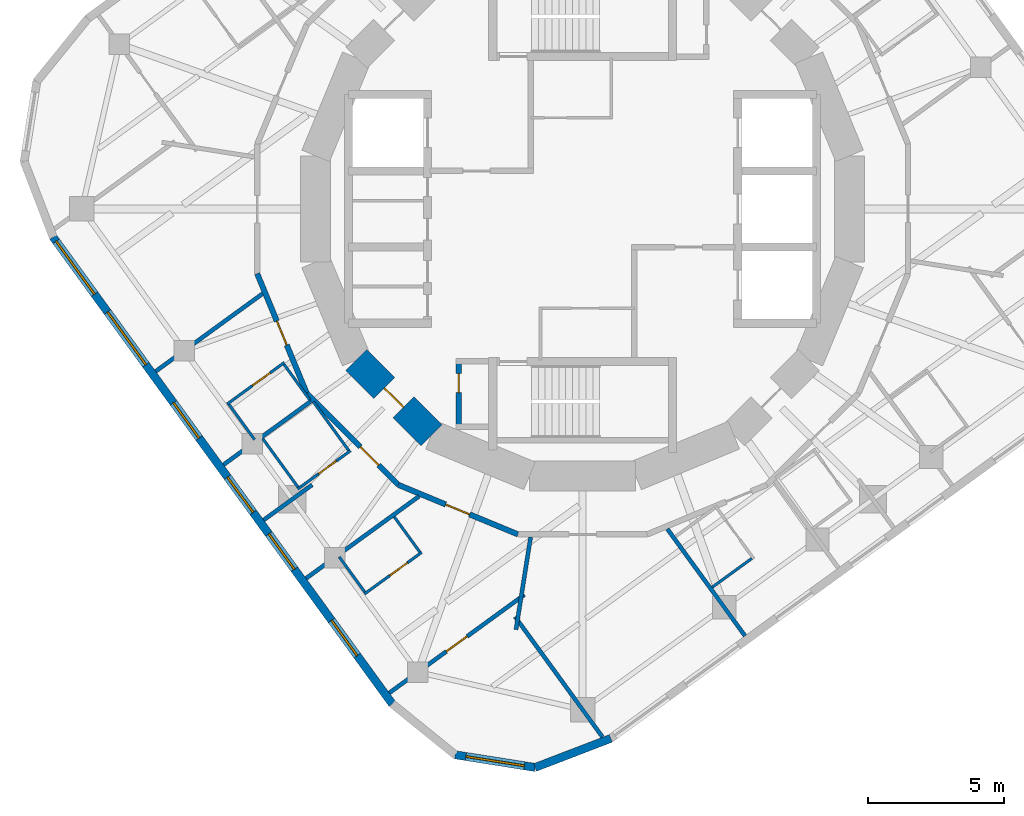
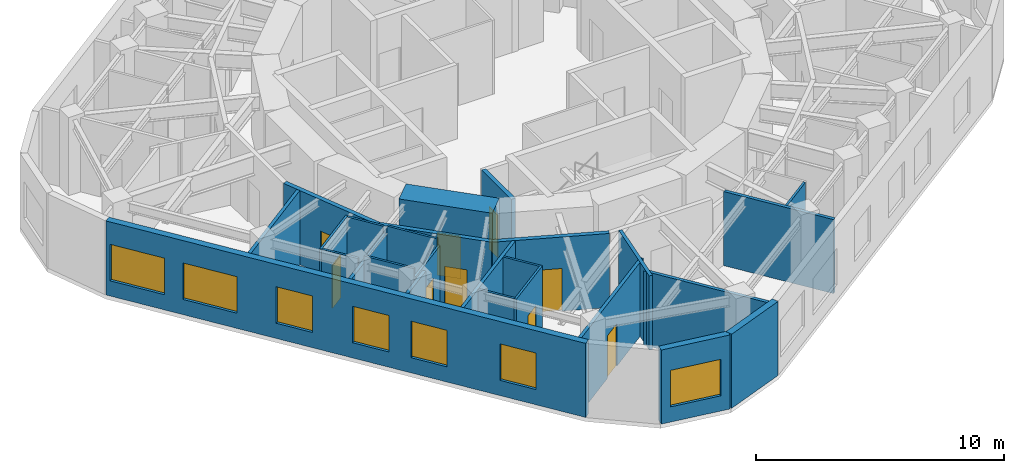
# One storey, part 3 of 9: 26 walls, 9 doors, 7 windows, 16 openings.
"""IFC4 building model written with IfcOpenShell, lengths in metres."""

from ifc_helpers import new_model, si_unit, direction, frame, frame_2d, origin, place, context, subcontext, project, spatial, rectangle, extrude, material, layer, layer_set, type_object, element, fill, save


model = new_model("IFC4")

# Units and contexts
model_context = context("Model", 3, precision=1e-05, world=origin(), true_north=direction((0.0, 1.0)))
body_context = subcontext(model_context, "Body", "Model", "MODEL_VIEW")
ifc_project = project(units=[si_unit("LENGTHUNIT", "METRE"), si_unit("AREAUNIT", "SQUARE_METRE"), si_unit("VOLUMEUNIT", "CUBIC_METRE"), si_unit("PLANEANGLEUNIT", "RADIAN"), si_unit("MASSUNIT", "GRAM", prefix="KILO")], contexts=[model_context])

# Site, building, storey
site_placement = place(None, origin())
site = spatial("IfcSite", under=ifc_project, at=site_placement, CompositionType="ELEMENT")
building_placement = place(site_placement, origin())
building = spatial("IfcBuilding", under=site, at=building_placement, Name="Nakasero Lantern House", CompositionType="ELEMENT")
storey_placement = place(building_placement, frame((0.0, 0.0, 267.60009765625)))
storey = spatial("IfcBuildingStorey", under=building, at=storey_placement, Name="L65", CompositionType="ELEMENT", Elevation=267.60009765625)

# Wall, opening, door
ifc_material_1 = material(Name="Concrete C50/60", Category="concrete")
ifc_layer_1 = layer(ifc_material_1, 1.10009765625)
ifc_layer_set_1 = layer_set([ifc_layer_1], Name="Core wall 1100")
wall_type_1 = type_object("IfcWallType", Name="Core wall 1100", PredefinedType="SHEAR", material=ifc_layer_set_1)
wall_1_placement = place(storey_placement, frame((-8.314697265625, -5.5556640625, 0.0), z_axis=(0.0, 0.0, 1.0), x_axis=(0.707106781187, -0.707106781187, 0.0)))
wall_1 = element("IfcWall", 1, at=wall_1_placement, inside=storey, type_object=wall_type_1, Name="Core wall L65 facet 10", PredefinedType="SHEAR", context=body_context, shape_type="SweptSolid", body=[
    extrude(rectangle(XDim=3.90185546875, YDim=1.10009765625, at=frame_2d((1.950927734375, 0.0))), origin(), (0.0, 0.0, 1.0), 3.849853515625),
])
opening_1_placement = place(wall_1_placement, frame((1.450927734375, 0.0, 0.0)))
opening_1 = element("IfcOpeningElement", 2, at=opening_1_placement, cuts=wall_1, Name="Opening D05", PredefinedType="OPENING", context=body_context, shape_type="SweptSolid", body=[
    extrude(rectangle(XDim=1.0, YDim=2.10009765625, at=frame_2d((0.5, 1.050048828125))), frame((0.0, 0.570068359375, 0.0), z_axis=(0.0, -1.0, 0.0), x_axis=(1.0, 0.0, 0.0)), (0.0, 0.0, 1.0), 1.14013671875),
])
ifc_material_2 = material(Name="Timber C24", Category="wood")
door_type_1 = type_object("IfcDoorType", Name="Core door FD60S 1000", OperationType="SINGLE_SWING_LEFT", PredefinedType="DOOR", material=ifc_material_2)
door_1_placement = place(opening_1_placement, origin())
door_1 = element("IfcDoor", 3, at=door_1_placement, inside=storey, type_object=door_type_1, Name="Door L65 D-CORE10", OperationType="SINGLE_SWING_LEFT", OverallHeight=2.10009765625, OverallWidth=1.0, PredefinedType="DOOR", context=body_context, shape_type="SweptSolid", body=[
    extrude(rectangle(XDim=1.0, YDim=2.10009765625, at=frame_2d((0.5, 1.050048828125))), frame((0.0, 0.02490234375, 0.0), z_axis=(0.0, -1.0, 0.0), x_axis=(1.0, 0.0, 0.0)), (0.0, 0.0, 1.0), 0.050048828125),
])
fill(opening_1, door_1)

ifc_material_3 = material(Name="Blockwork", Category="masonry")
ifc_layer_2 = layer(ifc_material_3, 0.199951171875)
ifc_layer_set_2 = layer_set([ifc_layer_2], Name="Corridor wall 200")
wall_type_2 = type_object("IfcWallType", Name="Corridor wall 200", PredefinedType="PARTITIONING", material=ifc_layer_set_2)
wall_2_placement = place(storey_placement, frame((-2.378662109375, -11.957763671875, 0.0), z_axis=(0.0, 0.0, 1.0), x_axis=(-0.923891735412, 0.382653970627, 0.0)))
wall_2 = element("IfcWall", 4, at=wall_2_placement, inside=storey, type_object=wall_type_2, Name="Corridor wall L65 RC05a", PredefinedType="PARTITIONING", context=body_context, shape_type="SweptSolid", body=[
    extrude(rectangle(XDim=4.757080078125, YDim=0.199951171875, at=frame_2d((2.37841796875, 0.0))), origin(), (0.0, 0.0, 1.0), 3.64990234375),
])
opening_2_placement = place(wall_2_placement, frame((1.919921875, 0.0, 0.0)))
opening_2 = element("IfcOpeningElement", 5, at=opening_2_placement, cuts=wall_2, Name="Opening D01", PredefinedType="OPENING", context=body_context, shape_type="SweptSolid", body=[
    extrude(rectangle(XDim=0.949951171875, YDim=2.10009765625, at=frame_2d((0.47509765625, 1.050048828125))), frame((0.0, 0.119873046875, 0.0), z_axis=(0.0, -1.0, 0.0), x_axis=(1.0, 0.0, 0.0)), (0.0, 0.0, 1.0), 0.239990234375),
])
ifc_material_4 = material(Name="Timber C24", Category="wood")
door_type_2 = type_object("IfcDoorType", Name="Bedroom door FD30S 950", OperationType="SINGLE_SWING_LEFT", PredefinedType="DOOR", material=ifc_material_4)
door_2_placement = place(opening_2_placement, origin())
door_2 = element("IfcDoor", 6, at=door_2_placement, inside=storey, type_object=door_type_2, Name="Door L65 D2-06", OperationType="SINGLE_SWING_RIGHT", OverallHeight=2.10009765625, OverallWidth=0.949951171875, PredefinedType="DOOR", context=body_context, shape_type="SweptSolid", body=[
    extrude(rectangle(XDim=0.949951171875, YDim=2.10009765625, at=frame_2d((0.47509765625, 1.050048828125))), frame((0.0, 0.02490234375, 0.0), z_axis=(0.0, -1.0, 0.0), x_axis=(1.0, 0.0, 0.0)), (0.0, 0.0, 1.0), 0.050048828125),
])
fill(opening_2, door_2)

wall_3_placement = place(storey_placement, frame((-6.773681640625, -10.137451171875, 0.0), z_axis=(0.0, 0.0, 1.0), x_axis=(-0.707106781187, 0.707106781187, 0.0)))
wall_3 = element("IfcWall", 7, at=wall_3_placement, inside=storey, type_object=wall_type_2, Name="Corridor wall L65 RC06a", PredefinedType="PARTITIONING", context=body_context, shape_type="SweptSolid", body=[
    extrude(rectangle(XDim=4.757080078125, YDim=0.199951171875, at=frame_2d((2.37841796875, 0.0))), origin(), (0.0, 0.0, 1.0), 3.64990234375),
])
opening_3_placement = place(wall_3_placement, frame((1.02001953125, 0.0, 0.0)))
opening_3 = element("IfcOpeningElement", 8, at=opening_3_placement, cuts=wall_3, Name="Opening D01", PredefinedType="OPENING", context=body_context, shape_type="SweptSolid", body=[
    extrude(rectangle(XDim=0.949951171875, YDim=2.10009765625, at=frame_2d((0.47509765625, 1.050048828125))), frame((0.0, 0.119873046875, 0.0), z_axis=(0.0, -1.0, 0.0), x_axis=(1.0, 0.0, 0.0)), (0.0, 0.0, 1.0), 0.239990234375),
])
door_3_placement = place(opening_3_placement, origin())
door_3 = element("IfcDoor", 9, at=door_3_placement, inside=storey, type_object=door_type_2, Name="Door L65 D2-04", OperationType="SINGLE_SWING_LEFT", OverallHeight=2.10009765625, OverallWidth=0.949951171875, PredefinedType="DOOR", context=body_context, shape_type="SweptSolid", body=[
    extrude(rectangle(XDim=0.949951171875, YDim=2.10009765625, at=frame_2d((0.47509765625, 1.050048828125))), frame((0.0, 0.02490234375, 0.0), z_axis=(0.0, -1.0, 0.0), x_axis=(1.0, 0.0, 0.0)), (0.0, 0.0, 1.0), 0.050048828125),
])
fill(opening_3, door_3)

wall_4_placement = place(storey_placement, frame((-10.137451171875, -6.773681640625, 0.0), z_axis=(0.0, 0.0, 1.0), x_axis=(-0.382653970627, 0.923891735412, 0.0)))
wall_4 = element("IfcWall", 10, at=wall_4_placement, inside=storey, type_object=wall_type_2, Name="Corridor wall L65 RC07a", PredefinedType="PARTITIONING", context=body_context, shape_type="SweptSolid", body=[
    extrude(rectangle(XDim=4.757080078125, YDim=0.199951171875, at=frame_2d((2.37841796875, 0.0))), origin(), (0.0, 0.0, 1.0), 3.64990234375),
])
opening_4_placement = place(wall_4_placement, frame((1.919921875, 0.0, 0.0)))
opening_4 = element("IfcOpeningElement", 11, at=opening_4_placement, cuts=wall_4, Name="Opening D01", PredefinedType="OPENING", context=body_context, shape_type="SweptSolid", body=[
    extrude(rectangle(XDim=0.949951171875, YDim=2.10009765625, at=frame_2d((0.47509765625, 1.050048828125))), frame((0.0, 0.119873046875, 0.0), z_axis=(0.0, -1.0, 0.0), x_axis=(1.0, 0.0, 0.0)), (0.0, 0.0, 1.0), 0.239990234375),
])
door_4_placement = place(opening_4_placement, origin())
door_4 = element("IfcDoor", 12, at=door_4_placement, inside=storey, type_object=door_type_2, Name="Door L65 D2-03", OperationType="SINGLE_SWING_RIGHT", OverallHeight=2.10009765625, OverallWidth=0.949951171875, PredefinedType="DOOR", context=body_context, shape_type="SweptSolid", body=[
    extrude(rectangle(XDim=0.949951171875, YDim=2.10009765625, at=frame_2d((0.47509765625, 1.050048828125))), frame((0.0, 0.02490234375, 0.0), z_axis=(0.0, -1.0, 0.0), x_axis=(1.0, 0.0, 0.0)), (0.0, 0.0, 1.0), 0.050048828125),
])
fill(opening_4, door_4)

ifc_material_5 = material(Name="Blockwork", Category="masonry")
ifc_layer_3 = layer(ifc_material_5, 0.10009765625)
ifc_layer_set_3 = layer_set([ifc_layer_3], Name="En-suite wall 100")
wall_type_3 = type_object("IfcWallType", Name="En-suite wall 100", PredefinedType="PARTITIONING", material=ifc_layer_set_3)
wall_5_placement = place(storey_placement, frame((-10.960693359375, -5.643798828125, 0.0), z_axis=(0.0, 0.0, 1.0), x_axis=(-0.80902431253, -0.587775179585, 0.0)))
wall_5 = element("IfcWall", 13, at=wall_5_placement, inside=storey, type_object=wall_type_3, Name="En-suite wall L65 ES2-03", PredefinedType="PARTITIONING", context=body_context, shape_type="SweptSolid", body=[
    extrude(rectangle(XDim=2.599853515625, YDim=0.10009765625, at=frame_2d((1.2998046875, 0.0))), origin(), (0.0, 0.0, 1.0), 3.64990234375),
])
opening_5_placement = place(wall_5_placement, frame((0.64990234375, 0.0, 0.0)))
opening_5 = element("IfcOpeningElement", 14, at=opening_5_placement, cuts=wall_5, Name="Opening D02", PredefinedType="OPENING", context=body_context, shape_type="SweptSolid", body=[
    extrude(rectangle(XDim=0.800048828125, YDim=2.10009765625, at=frame_2d((0.39990234375, 1.050048828125))), frame((0.0, 0.070068359375, 0.0), z_axis=(0.0, -1.0, 0.0), x_axis=(1.0, 0.0, 0.0)), (0.0, 0.0, 1.0), 0.14013671875),
])
ifc_material_6 = material(Name="Timber C24", Category="wood")
door_type_3 = type_object("IfcDoorType", Name="En-suite door 800", OperationType="SINGLE_SWING_RIGHT", PredefinedType="DOOR", material=ifc_material_6)
door_5_placement = place(opening_5_placement, origin())
door_5 = element("IfcDoor", 15, at=door_5_placement, inside=storey, type_object=door_type_3, Name="Door L65 DE2-03", OperationType="SINGLE_SWING_LEFT", OverallHeight=2.10009765625, OverallWidth=0.800048828125, PredefinedType="DOOR", context=body_context, shape_type="SweptSolid", body=[
    extrude(rectangle(XDim=0.800048828125, YDim=2.10009765625, at=frame_2d((0.39990234375, 1.050048828125))), frame((0.0, 0.02490234375, 0.0), z_axis=(0.0, -1.0, 0.0), x_axis=(1.0, 0.0, 0.0)), (0.0, 0.0, 1.0), 0.050048828125),
])
fill(opening_5, door_5)

# Walls
for number, where, z_axis, x_axis, name in (
    (16, (-12.994140625, -7.18310546875, 0.0), (0.0, 0.0, 1.0), (0.587772420479, -0.809026317077, 0.0), "En-suite wall L65 EE2-03"),
    (17, (-10.9716796875, -5.713623046875, 0.0), (0.0, 0.0, 1.0), (0.587772420479, -0.809026317077, 0.0), "En-suite wall L65 EI2-03"),
):
    element("IfcWall", number, at=place(storey_placement, frame(where, z_axis=z_axis, x_axis=x_axis)), inside=storey, type_object=wall_type_3, Name=name, PredefinedType="PARTITIONING", context=body_context, shape_type="SweptSolid", body=[
        extrude(rectangle(XDim=1.60009765625, YDim=0.10009765625, at=frame_2d((0.800048828125, 0.0))), origin(), (0.0, 0.0, 1.0), 3.64990234375),
    ])

# Wall, opening, door
wall_6_placement = place(storey_placement, frame((-8.528076171875, -8.88232421875, 0.0), z_axis=(0.0, 0.0, 1.0), x_axis=(-0.808977944175, -0.587838996528, 0.0)))
wall_6 = element("IfcWall", 18, at=wall_6_placement, inside=storey, type_object=wall_type_3, Name="En-suite wall L65 ES2-04", PredefinedType="PARTITIONING", context=body_context, shape_type="SweptSolid", body=[
    extrude(rectangle(XDim=2.400146484375, YDim=0.10009765625, at=frame_2d((1.2001953125, 0.0))), origin(), (0.0, 0.0, 1.0), 3.294921875),
])
opening_6_placement = place(wall_6_placement, frame((0.64990234375, 0.0, 0.0)))
opening_6 = element("IfcOpeningElement", 19, at=opening_6_placement, cuts=wall_6, Name="Opening D02", PredefinedType="OPENING", context=body_context, shape_type="SweptSolid", body=[
    extrude(rectangle(XDim=0.800048828125, YDim=2.10009765625, at=frame_2d((0.39990234375, 1.050048828125))), frame((0.0, 0.070068359375, 0.0), z_axis=(0.0, -1.0, 0.0), x_axis=(1.0, 0.0, 0.0)), (0.0, 0.0, 1.0), 0.14013671875),
])
door_6_placement = place(opening_6_placement, origin())
door_6 = element("IfcDoor", 20, at=door_6_placement, inside=storey, type_object=door_type_3, Name="Door L65 DE2-04", OperationType="SINGLE_SWING_LEFT", OverallHeight=2.10009765625, OverallWidth=0.800048828125, PredefinedType="DOOR", context=body_context, shape_type="SweptSolid", body=[
    extrude(rectangle(XDim=0.800048828125, YDim=2.10009765625, at=frame_2d((0.39990234375, 1.050048828125))), frame((0.0, 0.02490234375, 0.0), z_axis=(0.0, -1.0, 0.0), x_axis=(1.0, 0.0, 0.0)), (0.0, 0.0, 1.0), 0.050048828125),
])
fill(opening_6, door_6)

# Walls
wall_7_placement = place(storey_placement, frame((-11.751708984375, -8.443359375, 0.0), z_axis=(0.0, 0.0, 1.0), x_axis=(0.587769160311, -0.809028685639, 0.0)))
element("IfcWall", 21, at=wall_7_placement, inside=storey, type_object=wall_type_3, Name="En-suite wall L65 EE2-04", PredefinedType="PARTITIONING", context=body_context, shape_type="SweptSolid", body=[
    extrude(rectangle(XDim=2.2001953125, YDim=0.10009765625, at=frame_2d((1.10009765625, 0.0))), origin(), (0.0, 0.0, 1.0), 3.64990234375),
])
wall_8_placement = place(storey_placement, frame((-9.89111328125, -7.091552734375, 0.0), z_axis=(0.0, 0.0, 1.0), x_axis=(0.587821928992, -0.808990345923, 0.0)))
element("IfcWall", 22, at=wall_8_placement, inside=storey, type_object=wall_type_3, Name="En-suite wall L65 EI2-04", PredefinedType="PARTITIONING", context=body_context, shape_type="SweptSolid", body=[
    extrude(rectangle(XDim=2.199951171875, YDim=0.10009765625, at=frame_2d((1.10009765625, 0.0))), origin(), (0.0, 0.0, 1.0), 3.64990234375),
])

# Wall, opening, door
wall_9_placement = place(storey_placement, frame((-5.91162109375, -12.619384765625, 0.0), z_axis=(0.0, 0.0, 1.0), x_axis=(-0.809056752413, -0.587730526155, 0.0)))
wall_9 = element("IfcWall", 23, at=wall_9_placement, inside=storey, type_object=wall_type_3, Name="En-suite wall L65 ES2-06", PredefinedType="PARTITIONING", context=body_context, shape_type="SweptSolid", body=[
    extrude(rectangle(XDim=2.599853515625, YDim=0.10009765625, at=frame_2d((1.2998046875, 0.0))), origin(), (0.0, 0.0, 1.0), 3.64990234375),
])
opening_7_placement = place(wall_9_placement, frame((0.64990234375, 0.0, 0.0)))
opening_7 = element("IfcOpeningElement", 24, at=opening_7_placement, cuts=wall_9, Name="Opening D02", PredefinedType="OPENING", context=body_context, shape_type="SweptSolid", body=[
    extrude(rectangle(XDim=0.800048828125, YDim=2.10009765625, at=frame_2d((0.39990234375, 1.050048828125))), frame((0.0, 0.070068359375, 0.0), z_axis=(0.0, -1.0, 0.0), x_axis=(1.0, 0.0, 0.0)), (0.0, 0.0, 1.0), 0.14013671875),
])
door_7_placement = place(opening_7_placement, origin())
door_7 = element("IfcDoor", 25, at=door_7_placement, inside=storey, type_object=door_type_3, Name="Door L65 DE2-06", OperationType="SINGLE_SWING_LEFT", OverallHeight=2.10009765625, OverallWidth=0.800048828125, PredefinedType="DOOR", context=body_context, shape_type="SweptSolid", body=[
    extrude(rectangle(XDim=0.800048828125, YDim=2.10009765625, at=frame_2d((0.39990234375, 1.050048828125))), frame((0.0, 0.02490234375, 0.0), z_axis=(0.0, -1.0, 0.0), x_axis=(1.0, 0.0, 0.0)), (0.0, 0.0, 1.0), 0.050048828125),
])
fill(opening_7, door_7)

# Walls
for number, where, z_axis, x_axis, name in (
    (26, (-8.9443359375, -12.783203125, 0.0), (0.0, 0.0, 1.0), (0.587772420479, -0.809026317077, 0.0), "En-suite wall L65 EE2-06"),
    (27, (-6.921875, -11.313720703125, 0.0), (0.0, 0.0, 1.0), (0.587772420479, -0.809026317077, 0.0), "En-suite wall L65 EI2-06"),
):
    element("IfcWall", number, at=place(storey_placement, frame(where, z_axis=z_axis, x_axis=x_axis)), inside=storey, type_object=wall_type_3, Name=name, PredefinedType="PARTITIONING", context=body_context, shape_type="SweptSolid", body=[
        extrude(rectangle(XDim=1.60009765625, YDim=0.10009765625, at=frame_2d((0.800048828125, 0.0))), origin(), (0.0, 0.0, 1.0), 3.64990234375),
    ])
wall_10_placement = place(storey_placement, frame((4.7626953125, -13.9013671875, 0.0), z_axis=(0.0, 0.0, 1.0), x_axis=(0.809070278701, 0.587711905718, 0.0)))
element("IfcWall", 28, at=wall_10_placement, inside=storey, type_object=wall_type_3, Name="En-suite wall L65 EE3-03", PredefinedType="PARTITIONING", context=body_context, shape_type="SweptSolid", body=[
    extrude(rectangle(XDim=1.800048828125, YDim=0.10009765625, at=frame_2d((0.89990234375, 0.0))), origin(), (0.0, 0.0, 1.0), 3.64990234375),
])

# Wall, openings, windows
ifc_material_7 = material(Name="Aluminium rainscreen on blockwork", Category="masonry")
ifc_layer_4 = layer(ifc_material_7, 0.300048828125)
ifc_layer_set_4 = layer_set([ifc_layer_4], Name="Facade wall 300")
wall_type_4 = type_object("IfcWallType", Name="Facade wall 300", PredefinedType="SOLIDWALL", material=ifc_layer_set_4)
wall_11_placement = place(storey_placement, frame((-19.4580078125, -1.03466796875, 0.0), z_axis=(0.0, 0.0, 1.0), x_axis=(0.587790233451, -0.809013375328, 0.0)))
wall_11 = element("IfcWall", 29, at=wall_11_placement, inside=storey, type_object=wall_type_4, Name="Facade wall L65 FW2S", PredefinedType="SOLIDWALL", context=body_context, shape_type="SweptSolid", body=[
    extrude(rectangle(XDim=21.199951171875, YDim=0.300048828125, at=frame_2d((10.60009765625, 0.0))), origin(), (0.0, 0.0, 1.0), 3.64990234375),
])
opening_8_placement = place(wall_11_placement, frame((7.52783203125, 0.0, 0.75)))
opening_8 = element("IfcOpeningElement", 30, at=opening_8_placement, cuts=wall_11, Name="Opening W01", PredefinedType="OPENING", context=body_context, shape_type="SweptSolid", body=[
    extrude(rectangle(XDim=1.60009765625, YDim=1.800048828125, at=frame_2d((0.800048828125, 0.89990234375))), frame((0.0, 0.169921875, 0.0), z_axis=(0.0, -1.0, 0.0), x_axis=(1.0, 0.0, 0.0)), (0.0, 0.0, 1.0), 0.340087890625),
])
opening_9_placement = place(wall_11_placement, frame((10.904052734375, 0.0, 0.75)))
opening_9 = element("IfcOpeningElement", 31, at=opening_9_placement, cuts=wall_11, Name="Opening W01", PredefinedType="OPENING", context=body_context, shape_type="SweptSolid", body=[
    extrude(rectangle(XDim=1.60009765625, YDim=1.800048828125, at=frame_2d((0.800048828125, 0.89990234375))), frame((0.0, 0.169921875, 0.0), z_axis=(0.0, -1.0, 0.0), x_axis=(1.0, 0.0, 0.0)), (0.0, 0.0, 1.0), 0.340087890625),
])
opening_10_placement = place(wall_11_placement, frame((13.484619140625, 0.0, 0.75)))
opening_10 = element("IfcOpeningElement", 32, at=opening_10_placement, cuts=wall_11, Name="Opening W01", PredefinedType="OPENING", context=body_context, shape_type="SweptSolid", body=[
    extrude(rectangle(XDim=1.60009765625, YDim=1.800048828125, at=frame_2d((0.800048828125, 0.89990234375))), frame((0.0, 0.169921875, 0.0), z_axis=(0.0, -1.0, 0.0), x_axis=(1.0, 0.0, 0.0)), (0.0, 0.0, 1.0), 0.340087890625),
])
opening_11_placement = place(wall_11_placement, frame((17.410888671875, 0.0, 0.75)))
opening_11 = element("IfcOpeningElement", 33, at=opening_11_placement, cuts=wall_11, Name="Opening W01", PredefinedType="OPENING", context=body_context, shape_type="SweptSolid", body=[
    extrude(rectangle(XDim=1.60009765625, YDim=1.800048828125, at=frame_2d((0.800048828125, 0.89990234375))), frame((0.0, 0.169921875, 0.0), z_axis=(0.0, -1.0, 0.0), x_axis=(1.0, 0.0, 0.0)), (0.0, 0.0, 1.0), 0.340087890625),
])
opening_12_placement = place(wall_11_placement, frame((0.1904296875, 0.0, 0.75)))
opening_12 = element("IfcOpeningElement", 34, at=opening_12_placement, cuts=wall_11, Name="Opening W03", PredefinedType="OPENING", context=body_context, shape_type="SweptSolid", body=[
    extrude(rectangle(XDim=2.39990234375, YDim=1.800048828125, at=frame_2d((1.199951171875, 0.89990234375))), frame((0.0, 0.169921875, 0.0), z_axis=(0.0, -1.0, 0.0), x_axis=(1.0, 0.0, 0.0)), (0.0, 0.0, 1.0), 0.340087890625),
])
opening_13_placement = place(wall_11_placement, frame((3.401611328125, 0.0, 0.75)))
opening_13 = element("IfcOpeningElement", 35, at=opening_13_placement, cuts=wall_11, Name="Opening W03", PredefinedType="OPENING", context=body_context, shape_type="SweptSolid", body=[
    extrude(rectangle(XDim=2.39990234375, YDim=1.800048828125, at=frame_2d((1.199951171875, 0.89990234375))), frame((0.0, 0.169921875, 0.0), z_axis=(0.0, -1.0, 0.0), x_axis=(1.0, 0.0, 0.0)), (0.0, 0.0, 1.0), 0.340087890625),
])
ifc_material_8 = material(Name="Aluminium 6063-T6 and glass", Category="aluminium")
window_type_1 = type_object("IfcWindowType", Name="Bedroom window 1600x1800", PartitioningType="SINGLE_PANEL", PredefinedType="WINDOW", material=ifc_material_8)
window_1_placement = place(opening_8_placement, origin())
window_1 = element("IfcWindow", 36, at=window_1_placement, inside=storey, type_object=window_type_1, Name="Window L65 WN2-03", OverallHeight=1.800048828125, OverallWidth=1.60009765625, PartitioningType="SINGLE_PANEL", PredefinedType="WINDOW", context=body_context, shape_type="SweptSolid", body=[
    extrude(rectangle(XDim=1.60009765625, YDim=1.800048828125, at=frame_2d((0.800048828125, 0.89990234375))), frame((0.0, 0.030029296875, 0.0), z_axis=(0.0, -1.0, 0.0), x_axis=(1.0, 0.0, 0.0)), (0.0, 0.0, 1.0), 0.06005859375),
])
fill(opening_8, window_1)
window_2_placement = place(opening_9_placement, origin())
window_2 = element("IfcWindow", 37, at=window_2_placement, inside=storey, type_object=window_type_1, Name="Window L65 WN2-04", OverallHeight=1.800048828125, OverallWidth=1.60009765625, PartitioningType="SINGLE_PANEL", PredefinedType="WINDOW", context=body_context, shape_type="SweptSolid", body=[
    extrude(rectangle(XDim=1.60009765625, YDim=1.800048828125, at=frame_2d((0.800048828125, 0.89990234375))), frame((0.0, 0.030029296875, 0.0), z_axis=(0.0, -1.0, 0.0), x_axis=(1.0, 0.0, 0.0)), (0.0, 0.0, 1.0), 0.06005859375),
])
fill(opening_9, window_2)
window_3_placement = place(opening_10_placement, origin())
window_3 = element("IfcWindow", 38, at=window_3_placement, inside=storey, type_object=window_type_1, Name="Window L65 WN2-05", OverallHeight=1.800048828125, OverallWidth=1.60009765625, PartitioningType="SINGLE_PANEL", PredefinedType="WINDOW", context=body_context, shape_type="SweptSolid", body=[
    extrude(rectangle(XDim=1.60009765625, YDim=1.800048828125, at=frame_2d((0.800048828125, 0.89990234375))), frame((0.0, 0.030029296875, 0.0), z_axis=(0.0, -1.0, 0.0), x_axis=(1.0, 0.0, 0.0)), (0.0, 0.0, 1.0), 0.06005859375),
])
fill(opening_10, window_3)
window_4_placement = place(opening_11_placement, origin())
window_4 = element("IfcWindow", 39, at=window_4_placement, inside=storey, type_object=window_type_1, Name="Window L65 WN2-06", OverallHeight=1.800048828125, OverallWidth=1.60009765625, PartitioningType="SINGLE_PANEL", PredefinedType="WINDOW", context=body_context, shape_type="SweptSolid", body=[
    extrude(rectangle(XDim=1.60009765625, YDim=1.800048828125, at=frame_2d((0.800048828125, 0.89990234375))), frame((0.0, 0.030029296875, 0.0), z_axis=(0.0, -1.0, 0.0), x_axis=(1.0, 0.0, 0.0)), (0.0, 0.0, 1.0), 0.06005859375),
])
fill(opening_11, window_4)
ifc_material_9 = material(Name="Aluminium 6063-T6 and glass", Category="aluminium")
window_type_2 = type_object("IfcWindowType", Name="Lounge window 2400x1800", PartitioningType="SINGLE_PANEL", PredefinedType="WINDOW", material=ifc_material_9)
window_5_placement = place(opening_12_placement, origin())
window_5 = element("IfcWindow", 40, at=window_5_placement, inside=storey, type_object=window_type_2, Name="Window L65 WK2", OverallHeight=1.800048828125, OverallWidth=2.39990234375, PartitioningType="SINGLE_PANEL", PredefinedType="WINDOW", context=body_context, shape_type="SweptSolid", body=[
    extrude(rectangle(XDim=2.39990234375, YDim=1.800048828125, at=frame_2d((1.199951171875, 0.89990234375))), frame((0.0, 0.030029296875, 0.0), z_axis=(0.0, -1.0, 0.0), x_axis=(1.0, 0.0, 0.0)), (0.0, 0.0, 1.0), 0.06005859375),
])
fill(opening_12, window_5)
window_6_placement = place(opening_13_placement, origin())
window_6 = element("IfcWindow", 41, at=window_6_placement, inside=storey, type_object=window_type_2, Name="Window L65 WL2", OverallHeight=1.800048828125, OverallWidth=2.39990234375, PartitioningType="SINGLE_PANEL", PredefinedType="WINDOW", context=body_context, shape_type="SweptSolid", body=[
    extrude(rectangle(XDim=2.39990234375, YDim=1.800048828125, at=frame_2d((1.199951171875, 0.89990234375))), frame((0.0, 0.030029296875, 0.0), z_axis=(0.0, -1.0, 0.0), x_axis=(1.0, 0.0, 0.0)), (0.0, 0.0, 1.0), 0.06005859375),
])
fill(opening_13, window_6)

# Wall, opening, window
wall_12_placement = place(storey_placement, frame((-4.683837890625, -20.05908203125, 0.0), z_axis=(0.0, 0.0, 1.0), x_axis=(0.987691704133, -0.156413227021, 0.0)))
wall_12 = element("IfcWall", 42, at=wall_12_placement, inside=storey, type_object=wall_type_4, Name="Facade wall L65 FW2C2", PredefinedType="SOLIDWALL", context=body_context, shape_type="SweptSolid", body=[
    extrude(rectangle(XDim=2.9765625, YDim=0.300048828125, at=frame_2d((1.48828125, 0.0))), origin(), (0.0, 0.0, 1.0), 3.64990234375),
])
opening_14_placement = place(wall_12_placement, frame((0.39990234375, 0.0, 0.75)))
opening_14 = element("IfcOpeningElement", 43, at=opening_14_placement, cuts=wall_12, Name="Opening W221", PredefinedType="OPENING", context=body_context, shape_type="SweptSolid", body=[
    extrude(rectangle(XDim=2.176025390625, YDim=1.800048828125, at=frame_2d((1.087890625, 0.89990234375))), frame((0.0, 0.169921875, 0.0), z_axis=(0.0, -1.0, 0.0), x_axis=(1.0, 0.0, 0.0)), (0.0, 0.0, 1.0), 0.340087890625),
])
ifc_material_10 = material(Name="Aluminium 6063-T6 and glass", Category="aluminium")
window_type_3 = type_object("IfcWindowType", Name="Corner window 2176x1800", PartitioningType="SINGLE_PANEL", PredefinedType="WINDOW", material=ifc_material_10)
window_7_placement = place(opening_14_placement, origin())
window_7 = element("IfcWindow", 44, at=window_7_placement, inside=storey, type_object=window_type_3, Name="Window L65 WC2", OverallHeight=1.800048828125, OverallWidth=2.176025390625, PartitioningType="SINGLE_PANEL", PredefinedType="WINDOW", context=body_context, shape_type="SweptSolid", body=[
    extrude(rectangle(XDim=2.176025390625, YDim=1.800048828125, at=frame_2d((1.087890625, 0.89990234375))), frame((0.0, 0.030029296875, 0.0), z_axis=(0.0, -1.0, 0.0), x_axis=(1.0, 0.0, 0.0)), (0.0, 0.0, 1.0), 0.06005859375),
])
fill(opening_14, window_7)

# Wall
wall_13_placement = place(storey_placement, frame((-1.743896484375, -20.524658203125, 0.0), z_axis=(0.0, 0.0, 1.0), x_axis=(0.933573745966, 0.35838535244, 0.0)))
element("IfcWall", 45, at=wall_13_placement, inside=storey, type_object=wall_type_4, Name="Facade wall L65 FW2C3", PredefinedType="SOLIDWALL", context=body_context, shape_type="SweptSolid", body=[
    extrude(rectangle(XDim=2.976318359375, YDim=0.300048828125, at=frame_2d((1.48828125, 0.0))), origin(), (0.0, 0.0, 1.0), 3.64990234375),
])

# Wall, opening, door
ifc_material_11 = material(Name="Blockwork", Category="masonry")
ifc_layer_5 = layer(ifc_material_11, 0.199951171875)
ifc_layer_set_5 = layer_set([ifc_layer_5], Name="Fire lobby wall 200")
wall_type_5 = type_object("IfcWallType", Name="Fire lobby wall 200", PredefinedType="PARTITIONING", material=ifc_layer_set_5)
wall_14_placement = place(storey_placement, frame((-4.550048828125, -5.60009765625, 0.0), z_axis=(0.0, 0.0, 1.0), x_axis=(0.0, -1.0, 0.0)))
wall_14 = element("IfcWall", 46, at=wall_14_placement, inside=storey, type_object=wall_type_5, Name="Fire lobby wall L65 W-RS2W", PredefinedType="PARTITIONING", context=body_context, shape_type="SweptSolid", body=[
    extrude(rectangle(XDim=2.39990234375, YDim=0.199951171875, at=frame_2d((1.199951171875, 0.0))), origin(), (0.0, 0.0, 1.0), 3.64990234375),
])
opening_15_placement = place(wall_14_placement, frame((0.449951171875, 0.0, 0.0)))
opening_15 = element("IfcOpeningElement", 47, at=opening_15_placement, cuts=wall_14, Name="Opening D06", PredefinedType="OPENING", context=body_context, shape_type="SweptSolid", body=[
    extrude(rectangle(XDim=0.699951171875, YDim=2.10009765625, at=frame_2d((0.35009765625, 1.050048828125))), frame((0.0, 0.119873046875, 0.0), z_axis=(0.0, -1.0, 0.0), x_axis=(1.0, 0.0, 0.0)), (0.0, 0.0, 1.0), 0.239990234375),
])
ifc_material_12 = material(Name="Steel S355", Category="steel")
door_type_4 = type_object("IfcDoorType", Name="Riser door FD60 700", OperationType="SINGLE_SWING_LEFT", PredefinedType="DOOR", material=ifc_material_12)
door_8_placement = place(opening_15_placement, origin())
door_8 = element("IfcDoor", 48, at=door_8_placement, inside=storey, type_object=door_type_4, Name="Door L65 D-RS2", OperationType="SINGLE_SWING_LEFT", OverallHeight=2.10009765625, OverallWidth=0.699951171875, PredefinedType="DOOR", context=body_context, shape_type="SweptSolid", body=[
    extrude(rectangle(XDim=0.699951171875, YDim=2.10009765625, at=frame_2d((0.35009765625, 1.050048828125))), frame((0.0, 0.02490234375, 0.0), z_axis=(0.0, -1.0, 0.0), x_axis=(1.0, 0.0, 0.0)), (0.0, 0.0, 1.0), 0.050048828125),
])
fill(opening_15, door_8)

# Walls
ifc_material_13 = material(Name="Blockwork", Category="masonry")
ifc_layer_6 = layer(ifc_material_13, 0.14990234375)
ifc_layer_set_6 = layer_set([ifc_layer_6], Name="Party wall 150")
wall_type_6 = type_object("IfcWallType", Name="Party wall 150", PredefinedType="PARTITIONING", material=ifc_layer_set_6)
wall_15_placement = place(storey_placement, frame((-9.939208984375, -10.13818359375, 0.0), z_axis=(0.0, 0.0, 1.0), x_axis=(-0.808990345923, -0.587821928992, 0.0)))
element("IfcWall", 49, at=wall_15_placement, inside=storey, type_object=wall_type_6, Name="Party wall L65 PN2-05", PredefinedType="PARTITIONING", context=body_context, shape_type="SweptSolid", body=[
    extrude(rectangle(XDim=2.199951171875, YDim=0.14990234375, at=frame_2d((1.10009765625, 0.0))), origin(), (0.0, 0.0, 1.0), 3.294921875),
])
wall_16_placement = place(storey_placement, frame((-11.760986328125, -3.114990234375, 0.0), z_axis=(0.0, 0.0, 1.0), x_axis=(-0.809020895183, -0.587779883253, 0.0)))
element("IfcWall", 50, at=wall_16_placement, inside=storey, type_object=wall_type_6, Name="Party wall L65 PW2-03", PredefinedType="PARTITIONING", context=body_context, shape_type="SweptSolid", body=[
    extrude(rectangle(XDim=4.854248046875, YDim=0.14990234375, at=frame_2d((2.42724609375, 0.0))), origin(), (0.0, 0.0, 1.0), 3.64990234375),
])
wall_17_placement = place(storey_placement, frame((-9.985107421875, -7.067138671875, 0.0), z_axis=(0.0, 0.0, 1.0), x_axis=(-0.809004739075, -0.587802119896, 0.0)))
element("IfcWall", 51, at=wall_17_placement, inside=storey, type_object=wall_type_6, Name="Party wall L65 PW2-04", PredefinedType="PARTITIONING", context=body_context, shape_type="SweptSolid", body=[
    extrude(rectangle(XDim=3.9677734375, YDim=0.14990234375, at=frame_2d((1.98388671875, 0.0))), origin(), (0.0, 0.0, 1.0), 3.294921875),
])
wall_18_placement = place(storey_placement, frame((-6.012939453125, -10.560791015625, 0.0), z_axis=(0.0, 0.0, 1.0), x_axis=(-0.809020100005, -0.587780977736, 0.0)))
element("IfcWall", 52, at=wall_18_placement, inside=storey, type_object=wall_type_6, Name="Party wall L65 PW2-06", PredefinedType="PARTITIONING", context=body_context, shape_type="SweptSolid", body=[
    extrude(rectangle(XDim=5.1279296875, YDim=0.14990234375, at=frame_2d((2.56396484375, 0.0))), origin(), (0.0, 0.0, 1.0), 3.64990234375),
])

# Wall, opening, door
wall_19_placement = place(storey_placement, frame((-2.137939453125, -14.1767578125, 0.0), z_axis=(0.0, 0.0, 1.0), x_axis=(-0.809024975628, -0.587774266883, 0.0)))
wall_19 = element("IfcWall", 53, at=wall_19_placement, inside=storey, type_object=wall_type_6, Name="Party wall L65 PW2-07", PredefinedType="PARTITIONING", context=body_context, shape_type="SweptSolid", body=[
    extrude(rectangle(XDim=6.137451171875, YDim=0.14990234375, at=frame_2d((3.06884765625, 0.0))), origin(), (0.0, 0.0, 1.0), 3.64990234375),
])
opening_16_placement = place(wall_19_placement, frame((2.60009765625, 0.0, 0.0)))
opening_16 = element("IfcOpeningElement", 54, at=opening_16_placement, cuts=wall_19, Name="Opening D01", PredefinedType="OPENING", context=body_context, shape_type="SweptSolid", body=[
    extrude(rectangle(XDim=0.949951171875, YDim=2.10009765625, at=frame_2d((0.47509765625, 1.050048828125))), frame((0.0, 0.094970703125, 0.0), z_axis=(0.0, -1.0, 0.0), x_axis=(1.0, 0.0, 0.0)), (0.0, 0.0, 1.0), 0.18994140625),
])
door_9_placement = place(opening_16_placement, origin())
door_9 = element("IfcDoor", 55, at=door_9_placement, inside=storey, type_object=door_type_2, Name="Door L65 DC2", OperationType="SINGLE_SWING_RIGHT", OverallHeight=2.10009765625, OverallWidth=0.949951171875, PredefinedType="DOOR", context=body_context, shape_type="SweptSolid", body=[
    extrude(rectangle(XDim=0.949951171875, YDim=2.10009765625, at=frame_2d((0.47509765625, 1.050048828125))), frame((0.0, 0.02490234375, 0.0), z_axis=(0.0, -1.0, 0.0), x_axis=(1.0, 0.0, 0.0)), (0.0, 0.0, 1.0), 0.050048828125),
])
fill(opening_16, door_9)

# Walls
wall_20_placement = place(storey_placement, frame((-1.90966796875, -12.057861328125, 0.0), z_axis=(0.0, 0.0, 1.0), x_axis=(-0.156465405864, -0.987683439553, 0.0)))
element("IfcWall", 56, at=wall_20_placement, inside=storey, type_object=wall_type_6, Name="Party wall L65 PD2", PredefinedType="PARTITIONING", context=body_context, shape_type="SweptSolid", body=[
    extrude(rectangle(XDim=3.440673828125, YDim=0.14990234375, at=frame_2d((1.72021484375, 0.0))), origin(), (0.0, 0.0, 1.0), 3.64990234375),
])
wall_21_placement = place(storey_placement, frame((-2.48095703125, -14.9853515625, 0.0), z_axis=(0.0, 0.0, 1.0), x_axis=(0.587775959987, -0.809023745549, 0.0)))
element("IfcWall", 57, at=wall_21_placement, inside=storey, type_object=wall_type_6, Name="Party wall L65 PW3-01", PredefinedType="PARTITIONING", context=body_context, shape_type="SweptSolid", body=[
    extrude(rectangle(XDim=5.466552734375, YDim=0.14990234375, at=frame_2d((2.7333984375, 0.0))), origin(), (0.0, 0.0, 1.0), 3.64990234375),
])
wall_22_placement = place(storey_placement, frame((3.114990234375, -11.760986328125, 0.0), z_axis=(0.0, 0.0, 1.0), x_axis=(0.587779883253, -0.809020895183, 0.0)))
element("IfcWall", 58, at=wall_22_placement, inside=storey, type_object=wall_type_6, Name="Party wall L65 PW3-03", PredefinedType="PARTITIONING", context=body_context, shape_type="SweptSolid", body=[
    extrude(rectangle(XDim=4.854248046875, YDim=0.14990234375, at=frame_2d((2.42724609375, 0.0))), origin(), (0.0, 0.0, 1.0), 3.64990234375),
])

save(model, "model.ifc")
